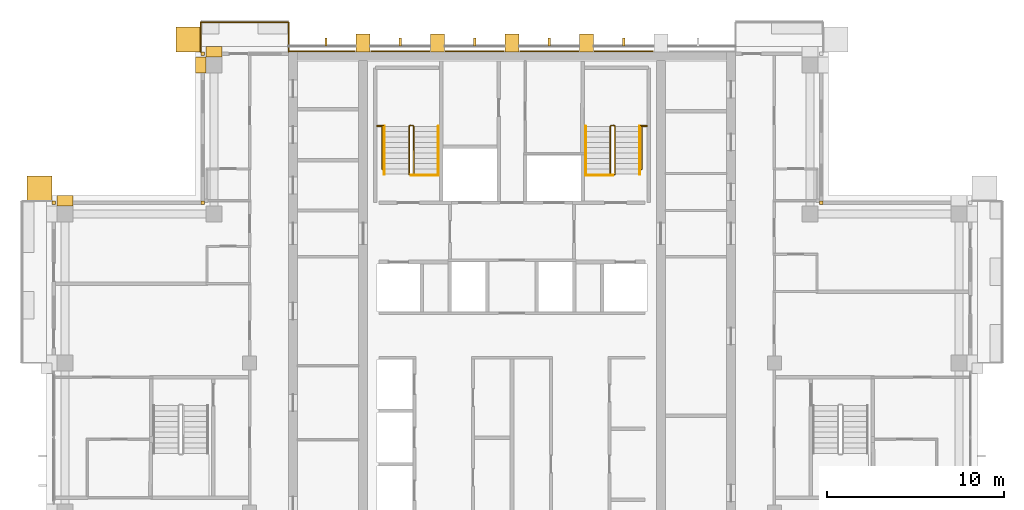
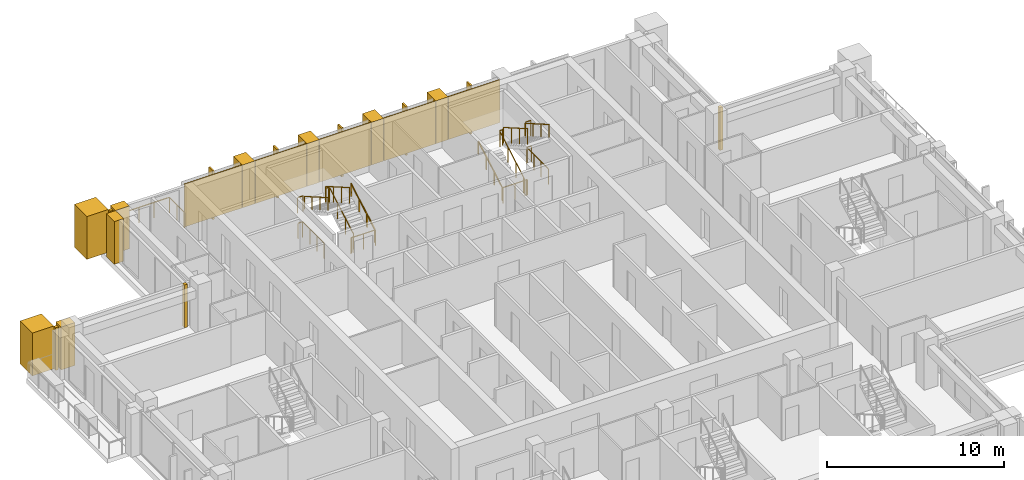
# One storey, part 17 of 18: 23 coverings, 13 railings.
"""IFC4 building model written with IfcOpenShell, lengths in metres."""

from ifc_helpers import new_model, si_unit, direction, frame, origin, origin_2d, place, context, subcontext, project, spatial, polyline, rectangle, outline, extrude, material, layer, layer_set, type_object, element, save


model = new_model("IFC4")

# Units and contexts
model_context = context("Model", 3, precision=1e-05, world=origin(), true_north=direction((0.0, 1.0)))
body_context = subcontext(model_context, "Body", "Model", "MODEL_VIEW")
ifc_project = project(units=[si_unit("LENGTHUNIT", "METRE"), si_unit("AREAUNIT", "SQUARE_METRE"), si_unit("VOLUMEUNIT", "CUBIC_METRE"), si_unit("PLANEANGLEUNIT", "RADIAN"), si_unit("MASSUNIT", "GRAM", prefix="KILO")], contexts=[model_context])

# Site, building, storey
site_placement = place(None, origin())
site = spatial("IfcSite", under=ifc_project, at=site_placement, CompositionType="ELEMENT")
building_placement = place(site_placement, origin())
building = spatial("IfcBuilding", under=site, at=building_placement, Name="Vermilion Ogive Tower", CompositionType="ELEMENT")
storey_placement = place(building_placement, frame((0.0, 0.0, 261.39990234375)))
storey = spatial("IfcBuildingStorey", under=building, at=storey_placement, Name="L69", CompositionType="ELEMENT", Elevation=261.39990234375)

# Railing
ifc_material_1 = material(Name="Stainless steel and glass", Category="steel")
railing_type_1 = type_object("IfcRailingType", Name="Balcony guard", PredefinedType="GUARDRAIL", material=ifc_material_1)
railing_1_placement = place(storey_placement, frame((-12.60009765625, 21.75, -0.039794921875)))
element("IfcRailing", 1, at=railing_1_placement, inside=storey, type_object=railing_type_1, Name="Guard N201", PredefinedType="GUARDRAIL", context=body_context, shape_type="SweptSolid", body=[
    extrude(rectangle(XDim=0.048095703125, YDim=0.048095703125, at=origin_2d()), frame((0.0, 0.0, 1.076171875), z_axis=(0.0, 1.0, 0.0), x_axis=(-1.0, 0.0, 0.0)), (0.0, 0.0, 1.0), 1.677978515625),
    extrude(rectangle(XDim=0.048095703125, YDim=0.048095703125, at=origin_2d()), frame((0.0, 1.677978515625, 1.076171875), z_axis=(-1.0, 0.0, 0.0), x_axis=(0.0, -1.0, 0.0)), (0.0, 0.0, 1.0), 4.949951171875),
    extrude(rectangle(XDim=0.048095703125, YDim=0.048095703125, at=origin_2d()), frame((-4.949951171875, 1.677978515625, 1.076171875), z_axis=(0.0, -1.0, 0.0), x_axis=(1.0, 0.0, 0.0)), (0.0, 0.0, 1.0), 1.677978515625),
    extrude(rectangle(XDim=0.0419921875, YDim=0.0419921875, at=origin_2d()), origin(), (0.0, 0.0, 1.0), 1.052001953125),
    extrude(rectangle(XDim=0.0419921875, YDim=0.0419921875, at=origin_2d()), frame((0.0, 0.8388671875, 0.0)), (0.0, 0.0, 1.0), 1.052001953125),
    extrude(rectangle(XDim=0.0419921875, YDim=0.0419921875, at=origin_2d()), frame((0.0, 1.677978515625, 0.0)), (0.0, 0.0, 1.0), 1.052001953125),
    extrude(rectangle(XDim=0.0419921875, YDim=0.0419921875, at=origin_2d()), frame((-0.989990234375, 1.677978515625, 0.0)), (0.0, 0.0, 1.0), 1.052001953125),
    extrude(rectangle(XDim=0.0419921875, YDim=0.0419921875, at=origin_2d()), frame((-1.97998046875, 1.677978515625, 0.0)), (0.0, 0.0, 1.0), 1.052001953125),
    extrude(rectangle(XDim=0.0419921875, YDim=0.0419921875, at=origin_2d()), frame((-2.969970703125, 1.677978515625, 0.0)), (0.0, 0.0, 1.0), 1.052001953125),
    extrude(rectangle(XDim=0.0419921875, YDim=0.0419921875, at=origin_2d()), frame((-3.9599609375, 1.677978515625, 0.0)), (0.0, 0.0, 1.0), 1.052001953125),
    extrude(rectangle(XDim=0.0419921875, YDim=0.0419921875, at=origin_2d()), frame((-4.949951171875, 1.677978515625, 0.0)), (0.0, 0.0, 1.0), 1.052001953125),
    extrude(rectangle(XDim=0.0419921875, YDim=0.0419921875, at=origin_2d()), frame((-4.949951171875, 0.8388671875, 0.0)), (0.0, 0.0, 1.0), 1.052001953125),
    extrude(rectangle(XDim=0.0419921875, YDim=0.0419921875, at=origin_2d()), frame((-4.949951171875, 0.0, 0.0)), (0.0, 0.0, 1.0), 1.052001953125),
])

# Coverings
ifc_material_2 = material(Name="Glazed ceramic screen")
ifc_layer = layer(ifc_material_2, 0.14990234375)
ifc_layer_set = layer_set([ifc_layer], Name="Ceramic solar screen fin")
covering_type_1 = type_object("IfcCoveringType", Name="Ceramic solar screen fin", PredefinedType="CLADDING", material=ifc_layer_set)
covering_1_placement = place(storey_placement, frame((0.0, 0.0, -0.39990234375)))
element("IfcCovering", 2, at=covering_1_placement, inside=storey, type_object=covering_type_1, Name="Solar screen blade N1", PredefinedType="CLADDING", context=body_context, shape_type="SweptSolid", body=[
    extrude(outline(polyline([(-10.56005859375, 22.08203125), (-10.43994140625, 22.08203125), (-10.43994140625, 22.531982421875), (-10.56005859375, 22.531982421875), (-10.56005859375, 22.08203125)])), origin(), (0.0, 0.0, 1.0), 3.35009765625),
])
covering_2_placement = place(storey_placement, frame((0.0, 0.0, -0.39990234375)))
element("IfcCovering", 3, at=covering_2_placement, inside=storey, type_object=covering_type_1, Name="Solar screen blade N2", PredefinedType="CLADDING", context=body_context, shape_type="SweptSolid", body=[
    extrude(outline(polyline([(-6.360107421875, 22.08203125), (-6.239990234375, 22.08203125), (-6.239990234375, 22.531982421875), (-6.360107421875, 22.531982421875), (-6.360107421875, 22.08203125)])), origin(), (0.0, 0.0, 1.0), 3.35009765625),
])
covering_3_placement = place(storey_placement, frame((0.0, 0.0, -0.39990234375)))
element("IfcCovering", 4, at=covering_3_placement, inside=storey, type_object=covering_type_1, Name="Solar screen blade N3", PredefinedType="CLADDING", context=body_context, shape_type="SweptSolid", body=[
    extrude(outline(polyline([(-2.159912109375, 22.08203125), (-2.0400390625, 22.08203125), (-2.0400390625, 22.531982421875), (-2.159912109375, 22.531982421875), (-2.159912109375, 22.08203125)])), origin(), (0.0, 0.0, 1.0), 3.35009765625),
])
covering_4_placement = place(storey_placement, frame((0.0, 0.0, -0.39990234375)))
element("IfcCovering", 5, at=covering_4_placement, inside=storey, type_object=covering_type_1, Name="Solar screen blade N4", PredefinedType="CLADDING", context=body_context, shape_type="SweptSolid", body=[
    extrude(outline(polyline([(2.0400390625, 22.08203125), (2.159912109375, 22.08203125), (2.159912109375, 22.531982421875), (2.0400390625, 22.531982421875), (2.0400390625, 22.08203125)])), origin(), (0.0, 0.0, 1.0), 3.35009765625),
])
covering_5_placement = place(storey_placement, frame((0.0, 0.0, -0.39990234375)))
element("IfcCovering", 6, at=covering_5_placement, inside=storey, type_object=covering_type_1, Name="Solar screen blade N5", PredefinedType="CLADDING", context=body_context, shape_type="SweptSolid", body=[
    extrude(outline(polyline([(6.239990234375, 22.08203125), (6.360107421875, 22.08203125), (6.360107421875, 22.531982421875), (6.239990234375, 22.531982421875), (6.239990234375, 22.08203125)])), origin(), (0.0, 0.0, 1.0), 3.35009765625),
])

# Railings
ifc_material_3 = material(Name="Steel S355 painted", Category="steel")
railing_type_2 = type_object("IfcRailingType", Name="Stair guard 1100", PredefinedType="GUARDRAIL", material=ifc_material_3)
railing_2_placement = place(storey_placement, frame((-5.75, 14.800048828125, 0.0)))
element("IfcRailing", 7, at=railing_2_placement, inside=storey, type_object=railing_type_2, Name="L69 ST1 stair guard 4", PredefinedType="GUARDRAIL", context=body_context, shape_type="SweptSolid", body=[
    extrude(rectangle(XDim=0.048095703125, YDim=0.048095703125, at=origin_2d()), frame((0.0, 0.0, 1.076171875), z_axis=(1.0, 0.0, 0.0), x_axis=(0.0, 1.0, 0.0)), (0.0, 0.0, 1.0), 0.14990234375),
    extrude(rectangle(XDim=0.048095703125, YDim=0.048095703125, at=origin_2d()), frame((0.14990234375, 0.0, 1.076171875), z_axis=(0.268277960024, 0.268277960024, 0.925231793839), x_axis=(-0.707106781187, 0.707106781187, 0.0)), (0.0, 0.0, 1.0), 0.1865234375),
    extrude(rectangle(XDim=0.048095703125, YDim=0.048095703125, at=origin_2d()), frame((0.199951171875, 0.050048828125, 1.24853515625), z_axis=(0.0, 0.866903762492, 0.498475542607), x_axis=(-1.0, 0.0, 0.0)), (0.0, 0.0, 1.0), 3.114501953125),
    extrude(rectangle(XDim=0.048095703125, YDim=0.048095703125, at=origin_2d()), frame((0.199951171875, 2.75, 2.80126953125), z_axis=(-0.707106781187, 0.707106781187, 0.0), x_axis=(-0.707106781187, -0.707106781187, 0.0)), (0.0, 0.0, 1.0), 0.07080078125),
    extrude(rectangle(XDim=0.048095703125, YDim=0.048095703125, at=origin_2d()), frame((0.14990234375, 2.800048828125, 2.80126953125), z_axis=(-1.0, 0.0, 0.0), x_axis=(0.0, -1.0, 0.0)), (0.0, 0.0, 1.0), 0.14990234375),
    extrude(rectangle(XDim=0.048095703125, YDim=0.048095703125, at=origin_2d()), frame((0.0, 2.800048828125, 2.80126953125), z_axis=(-0.268277960024, -0.268277960024, 0.925231793839), x_axis=(0.707106781187, -0.707106781187, 0.0)), (0.0, 0.0, 1.0), 0.1865234375),
    extrude(rectangle(XDim=0.048095703125, YDim=0.048095703125, at=origin_2d()), frame((-0.050048828125, 2.75, 2.9736328125), z_axis=(0.0, -0.866903762492, 0.498475542607), x_axis=(1.0, 0.0, 0.0)), (0.0, 0.0, 1.0), 3.114501953125),
    extrude(rectangle(XDim=0.0419921875, YDim=0.0419921875, at=origin_2d()), origin(), (0.0, 0.0, 1.0), 1.052001953125),
    extrude(rectangle(XDim=0.0419921875, YDim=0.0419921875, at=origin_2d()), frame((0.14990234375, 0.0, 0.0)), (0.0, 0.0, 1.0), 1.052001953125),
    extrude(rectangle(XDim=0.0419921875, YDim=0.0419921875, at=origin_2d()), frame((0.199951171875, 0.050048828125, 0.172607421875)), (0.0, 0.0, 1.0), 1.052001953125),
    extrude(rectangle(XDim=0.0419921875, YDim=0.0419921875, at=origin_2d()), frame((0.199951171875, 0.949951171875, 0.690185546875)), (0.0, 0.0, 1.0), 1.052001953125),
    extrude(rectangle(XDim=0.0419921875, YDim=0.0419921875, at=origin_2d()), frame((0.199951171875, 1.85009765625, 1.20751953125)), (0.0, 0.0, 1.0), 1.052001953125),
    extrude(rectangle(XDim=0.0419921875, YDim=0.0419921875, at=origin_2d()), frame((0.199951171875, 2.75, 1.72509765625)), (0.0, 0.0, 1.0), 1.052001953125),
    extrude(rectangle(XDim=0.0419921875, YDim=0.0419921875, at=origin_2d()), frame((0.14990234375, 2.800048828125, 1.72509765625)), (0.0, 0.0, 1.0), 1.052001953125),
    extrude(rectangle(XDim=0.0419921875, YDim=0.0419921875, at=origin_2d()), frame((0.0, 2.800048828125, 1.72509765625)), (0.0, 0.0, 1.0), 1.052001953125),
    extrude(rectangle(XDim=0.0419921875, YDim=0.0419921875, at=origin_2d()), frame((-0.050048828125, 2.75, 1.897705078125)), (0.0, 0.0, 1.0), 1.052001953125),
    extrude(rectangle(XDim=0.0419921875, YDim=0.0419921875, at=origin_2d()), frame((-0.050048828125, 1.85009765625, 2.415283203125)), (0.0, 0.0, 1.0), 1.052001953125),
    extrude(rectangle(XDim=0.0419921875, YDim=0.0419921875, at=origin_2d()), frame((-0.050048828125, 0.949951171875, 2.9326171875)), (0.0, 0.0, 1.0), 1.052001953125),
    extrude(rectangle(XDim=0.0419921875, YDim=0.0419921875, at=origin_2d()), frame((-0.050048828125, 0.050048828125, 3.4501953125)), (0.0, 0.0, 1.0), 1.052001953125),
])
railing_3_placement = place(storey_placement, frame((5.75, 14.800048828125, 0.0)))
element("IfcRailing", 8, at=railing_3_placement, inside=storey, type_object=railing_type_2, Name="L69 ST2 stair guard 4", PredefinedType="GUARDRAIL", context=body_context, shape_type="SweptSolid", body=[
    extrude(rectangle(XDim=0.048095703125, YDim=0.048095703125, at=origin_2d()), frame((0.0, 0.0, 1.076171875), z_axis=(-1.0, 0.0, 0.0), x_axis=(0.0, -1.0, 0.0)), (0.0, 0.0, 1.0), 0.14990234375),
    extrude(rectangle(XDim=0.048095703125, YDim=0.048095703125, at=origin_2d()), frame((-0.14990234375, 0.0, 1.076171875), z_axis=(-0.268277960024, 0.268277960024, 0.925231793839), x_axis=(-0.707106781187, -0.707106781187, 0.0)), (0.0, 0.0, 1.0), 0.1865234375),
    extrude(rectangle(XDim=0.048095703125, YDim=0.048095703125, at=origin_2d()), frame((-0.199951171875, 0.050048828125, 1.24853515625), z_axis=(0.0, 0.866903762492, 0.498475542607), x_axis=(-1.0, 0.0, 0.0)), (0.0, 0.0, 1.0), 3.114501953125),
    extrude(rectangle(XDim=0.048095703125, YDim=0.048095703125, at=origin_2d()), frame((-0.199951171875, 2.75, 2.80126953125), z_axis=(0.707106781187, 0.707106781187, 0.0), x_axis=(-0.707106781187, 0.707106781187, 0.0)), (0.0, 0.0, 1.0), 0.07080078125),
    extrude(rectangle(XDim=0.048095703125, YDim=0.048095703125, at=origin_2d()), frame((-0.14990234375, 2.800048828125, 2.80126953125), z_axis=(1.0, 0.0, 0.0), x_axis=(0.0, 1.0, 0.0)), (0.0, 0.0, 1.0), 0.14990234375),
    extrude(rectangle(XDim=0.048095703125, YDim=0.048095703125, at=origin_2d()), frame((0.0, 2.800048828125, 2.80126953125), z_axis=(0.268277960024, -0.268277960024, 0.925231793839), x_axis=(0.707106781187, 0.707106781187, 0.0)), (0.0, 0.0, 1.0), 0.1865234375),
    extrude(rectangle(XDim=0.048095703125, YDim=0.048095703125, at=origin_2d()), frame((0.050048828125, 2.75, 2.9736328125), z_axis=(0.0, -0.866903762492, 0.498475542607), x_axis=(1.0, 0.0, 0.0)), (0.0, 0.0, 1.0), 3.114501953125),
    extrude(rectangle(XDim=0.0419921875, YDim=0.0419921875, at=origin_2d()), origin(), (0.0, 0.0, 1.0), 1.052001953125),
    extrude(rectangle(XDim=0.0419921875, YDim=0.0419921875, at=origin_2d()), frame((-0.14990234375, 0.0, 0.0)), (0.0, 0.0, 1.0), 1.052001953125),
    extrude(rectangle(XDim=0.0419921875, YDim=0.0419921875, at=origin_2d()), frame((-0.199951171875, 0.050048828125, 0.172607421875)), (0.0, 0.0, 1.0), 1.052001953125),
    extrude(rectangle(XDim=0.0419921875, YDim=0.0419921875, at=origin_2d()), frame((-0.199951171875, 0.949951171875, 0.690185546875)), (0.0, 0.0, 1.0), 1.052001953125),
    extrude(rectangle(XDim=0.0419921875, YDim=0.0419921875, at=origin_2d()), frame((-0.199951171875, 1.85009765625, 1.20751953125)), (0.0, 0.0, 1.0), 1.052001953125),
    extrude(rectangle(XDim=0.0419921875, YDim=0.0419921875, at=origin_2d()), frame((-0.199951171875, 2.75, 1.72509765625)), (0.0, 0.0, 1.0), 1.052001953125),
    extrude(rectangle(XDim=0.0419921875, YDim=0.0419921875, at=origin_2d()), frame((-0.14990234375, 2.800048828125, 1.72509765625)), (0.0, 0.0, 1.0), 1.052001953125),
    extrude(rectangle(XDim=0.0419921875, YDim=0.0419921875, at=origin_2d()), frame((0.0, 2.800048828125, 1.72509765625)), (0.0, 0.0, 1.0), 1.052001953125),
    extrude(rectangle(XDim=0.0419921875, YDim=0.0419921875, at=origin_2d()), frame((0.050048828125, 2.75, 1.897705078125)), (0.0, 0.0, 1.0), 1.052001953125),
    extrude(rectangle(XDim=0.0419921875, YDim=0.0419921875, at=origin_2d()), frame((0.050048828125, 1.85009765625, 2.415283203125)), (0.0, 0.0, 1.0), 1.052001953125),
    extrude(rectangle(XDim=0.0419921875, YDim=0.0419921875, at=origin_2d()), frame((0.050048828125, 0.949951171875, 2.9326171875)), (0.0, 0.0, 1.0), 1.052001953125),
    extrude(rectangle(XDim=0.0419921875, YDim=0.0419921875, at=origin_2d()), frame((0.050048828125, 0.050048828125, 3.4501953125)), (0.0, 0.0, 1.0), 1.052001953125),
])
for number, where, name in (
    (9, (-7.60009765625, 17.60009765625, 1.72509765625), "L69 landing guard"),
    (10, (7.25, 17.60009765625, 1.72509765625), "L69 landing guard"),
):
    element("IfcRailing", number, at=place(storey_placement, frame(where)), inside=storey, type_object=railing_type_2, Name=name, PredefinedType="GUARDRAIL", context=body_context, shape_type="SweptSolid", body=[
        extrude(rectangle(XDim=0.048095703125, YDim=0.048095703125, at=origin_2d()), frame((0.0, 0.0, 1.076171875), z_axis=(1.0, 0.0, 0.0), x_axis=(0.0, 1.0, 0.0)), (0.0, 0.0, 1.0), 0.35009765625),
        extrude(rectangle(XDim=0.0419921875, YDim=0.0419921875, at=origin_2d()), origin(), (0.0, 0.0, 1.0), 1.052001953125),
        extrude(rectangle(XDim=0.0419921875, YDim=0.0419921875, at=origin_2d()), frame((0.35009765625, 0.0, 0.0)), (0.0, 0.0, 1.0), 1.052001953125),
    ])
railing_4_placement = place(storey_placement, frame((-4.159912109375, 14.7900390625, 0.0)))
element("IfcRailing", 11, at=railing_4_placement, inside=storey, type_object=railing_type_2, Name="L69 stair opening guard", PredefinedType="GUARDRAIL", context=body_context, shape_type="SweptSolid", body=[
    extrude(rectangle(XDim=0.048095703125, YDim=0.048095703125, at=origin_2d()), frame((0.0, 0.0, 1.076171875), z_axis=(-1.0, 0.0, 0.0), x_axis=(0.0, -1.0, 0.0)), (0.0, 0.0, 1.0), 1.5400390625),
    extrude(rectangle(XDim=0.0419921875, YDim=0.0419921875, at=origin_2d()), origin(), (0.0, 0.0, 1.0), 1.052001953125),
    extrude(rectangle(XDim=0.0419921875, YDim=0.0419921875, at=origin_2d()), frame((-0.77001953125, 0.0, 0.0)), (0.0, 0.0, 1.0), 1.052001953125),
    extrude(rectangle(XDim=0.0419921875, YDim=0.0419921875, at=origin_2d()), frame((-1.5400390625, 0.0, 0.0)), (0.0, 0.0, 1.0), 1.052001953125),
])
railing_5_placement = place(storey_placement, frame((-7.3095703125, 15.11865234375, 0.0)))
element("IfcRailing", 12, at=railing_5_placement, inside=storey, type_object=railing_type_2, Name="L69 stair opening guard", PredefinedType="GUARDRAIL", context=body_context, shape_type="SweptSolid", body=[
    extrude(rectangle(XDim=0.048095703125, YDim=0.048095703125, at=origin_2d()), frame((0.0, 0.0, 1.076171875), z_axis=(0.0, 1.0, 0.0), x_axis=(-1.0, 0.0, 0.0)), (0.0, 0.0, 1.0), 2.42431640625),
    extrude(rectangle(XDim=0.048095703125, YDim=0.048095703125, at=origin_2d()), frame((0.0, 2.42431640625, 1.076171875), z_axis=(-1.0, 0.0, 0.0), x_axis=(0.0, -1.0, 0.0)), (0.0, 0.0, 1.0), 0.2900390625),
    extrude(rectangle(XDim=0.0419921875, YDim=0.0419921875, at=origin_2d()), origin(), (0.0, 0.0, 1.0), 1.052001953125),
    extrude(rectangle(XDim=0.0419921875, YDim=0.0419921875, at=origin_2d()), frame((0.0, 0.80810546875, 0.0)), (0.0, 0.0, 1.0), 1.052001953125),
    extrude(rectangle(XDim=0.0419921875, YDim=0.0419921875, at=origin_2d()), frame((0.0, 1.6162109375, 0.0)), (0.0, 0.0, 1.0), 1.052001953125),
    extrude(rectangle(XDim=0.0419921875, YDim=0.0419921875, at=origin_2d()), frame((0.0, 2.42431640625, 0.0)), (0.0, 0.0, 1.0), 1.052001953125),
    extrude(rectangle(XDim=0.0419921875, YDim=0.0419921875, at=origin_2d()), frame((-0.2900390625, 2.42431640625, 0.0)), (0.0, 0.0, 1.0), 1.052001953125),
])
railing_6_placement = place(storey_placement, frame((7.599609375, 17.54296875, 0.0)))
element("IfcRailing", 13, at=railing_6_placement, inside=storey, type_object=railing_type_2, Name="L69 stair opening guard", PredefinedType="GUARDRAIL", context=body_context, shape_type="SweptSolid", body=[
    extrude(rectangle(XDim=0.048095703125, YDim=0.048095703125, at=origin_2d()), frame((0.0, 0.0, 1.076171875), z_axis=(-1.0, 0.0, 0.0), x_axis=(0.0, -1.0, 0.0)), (0.0, 0.0, 1.0), 0.2900390625),
    extrude(rectangle(XDim=0.048095703125, YDim=0.048095703125, at=origin_2d()), frame((-0.2900390625, 0.0, 1.076171875), z_axis=(0.0, -1.0, 0.0), x_axis=(1.0, 0.0, 0.0)), (0.0, 0.0, 1.0), 2.42431640625),
    extrude(rectangle(XDim=0.0419921875, YDim=0.0419921875, at=origin_2d()), origin(), (0.0, 0.0, 1.0), 1.052001953125),
    extrude(rectangle(XDim=0.0419921875, YDim=0.0419921875, at=origin_2d()), frame((-0.2900390625, 0.0, 0.0)), (0.0, 0.0, 1.0), 1.052001953125),
    extrude(rectangle(XDim=0.0419921875, YDim=0.0419921875, at=origin_2d()), frame((-0.2900390625, -0.80810546875, 0.0)), (0.0, 0.0, 1.0), 1.052001953125),
    extrude(rectangle(XDim=0.0419921875, YDim=0.0419921875, at=origin_2d()), frame((-0.2900390625, -1.6162109375, 0.0)), (0.0, 0.0, 1.0), 1.052001953125),
    extrude(rectangle(XDim=0.0419921875, YDim=0.0419921875, at=origin_2d()), frame((-0.2900390625, -2.42431640625, 0.0)), (0.0, 0.0, 1.0), 1.052001953125),
])
railing_7_placement = place(storey_placement, frame((5.699951171875, 14.7900390625, 0.0)))
element("IfcRailing", 14, at=railing_7_placement, inside=storey, type_object=railing_type_2, Name="L69 stair opening guard", PredefinedType="GUARDRAIL", context=body_context, shape_type="SweptSolid", body=[
    extrude(rectangle(XDim=0.048095703125, YDim=0.048095703125, at=origin_2d()), frame((0.0, 0.0, 1.076171875), z_axis=(-1.0, 0.0, 0.0), x_axis=(0.0, -1.0, 0.0)), (0.0, 0.0, 1.0), 1.5400390625),
    extrude(rectangle(XDim=0.0419921875, YDim=0.0419921875, at=origin_2d()), origin(), (0.0, 0.0, 1.0), 1.052001953125),
    extrude(rectangle(XDim=0.0419921875, YDim=0.0419921875, at=origin_2d()), frame((-0.77001953125, 0.0, 0.0)), (0.0, 0.0, 1.0), 1.052001953125),
    extrude(rectangle(XDim=0.0419921875, YDim=0.0419921875, at=origin_2d()), frame((-1.5400390625, 0.0, 0.0)), (0.0, 0.0, 1.0), 1.052001953125),
])
ifc_material_4 = material(Name="Stainless steel", Category="steel")
railing_type_3 = type_object("IfcRailingType", Name="Stair handrail 900", PredefinedType="HANDRAIL", material=ifc_material_4)
railing_8_placement = place(storey_placement, frame((-4.14990234375, 14.85009765625, 0.172607421875)))
element("IfcRailing", 15, at=railing_8_placement, inside=storey, type_object=railing_type_3, Name="L69 ST1 stair handrail 1", PredefinedType="HANDRAIL", context=body_context, shape_type="SweptSolid", body=[
    extrude(rectangle(XDim=0.048095703125, YDim=0.048095703125, at=origin_2d()), frame((0.0, 0.0, 0.8759765625), z_axis=(0.0, 0.866903762492, 0.498475542607), x_axis=(-1.0, 0.0, 0.0)), (0.0, 0.0, 1.0), 3.114501953125),
    extrude(rectangle(XDim=0.0419921875, YDim=0.0419921875, at=origin_2d()), origin(), (0.0, 0.0, 1.0), 0.851806640625),
    extrude(rectangle(XDim=0.0419921875, YDim=0.0419921875, at=origin_2d()), frame((0.0, 0.89990234375, 0.517578125)), (0.0, 0.0, 1.0), 0.851806640625),
    extrude(rectangle(XDim=0.0419921875, YDim=0.0419921875, at=origin_2d()), frame((0.0, 1.800048828125, 1.034912109375)), (0.0, 0.0, 1.0), 0.851806640625),
    extrude(rectangle(XDim=0.0419921875, YDim=0.0419921875, at=origin_2d()), frame((0.0, 2.699951171875, 1.552490234375)), (0.0, 0.0, 1.0), 0.851806640625),
])
railing_9_placement = place(storey_placement, frame((-7.199951171875, 17.550048828125, 1.897705078125)))
element("IfcRailing", 16, at=railing_9_placement, inside=storey, type_object=railing_type_3, Name="L69 ST1 stair handrail 2", PredefinedType="HANDRAIL", context=body_context, shape_type="SweptSolid", body=[
    extrude(rectangle(XDim=0.048095703125, YDim=0.048095703125, at=origin_2d()), frame((0.0, 0.0, 0.8759765625), z_axis=(0.0, -0.866903762492, 0.498475542607), x_axis=(1.0, 0.0, 0.0)), (0.0, 0.0, 1.0), 3.114501953125),
    extrude(rectangle(XDim=0.0419921875, YDim=0.0419921875, at=origin_2d()), origin(), (0.0, 0.0, 1.0), 0.851806640625),
    extrude(rectangle(XDim=0.0419921875, YDim=0.0419921875, at=origin_2d()), frame((0.0, -0.89990234375, 0.517578125)), (0.0, 0.0, 1.0), 0.851806640625),
    extrude(rectangle(XDim=0.0419921875, YDim=0.0419921875, at=origin_2d()), frame((0.0, -1.800048828125, 1.034912109375)), (0.0, 0.0, 1.0), 0.851806640625),
    extrude(rectangle(XDim=0.0419921875, YDim=0.0419921875, at=origin_2d()), frame((0.0, -2.699951171875, 1.552490234375)), (0.0, 0.0, 1.0), 0.851806640625),
])
railing_10_placement = place(storey_placement, frame((4.14990234375, 14.85009765625, 0.172607421875)))
element("IfcRailing", 17, at=railing_10_placement, inside=storey, type_object=railing_type_3, Name="L69 ST2 stair handrail 1", PredefinedType="HANDRAIL", context=body_context, shape_type="SweptSolid", body=[
    extrude(rectangle(XDim=0.048095703125, YDim=0.048095703125, at=origin_2d()), frame((0.0, 0.0, 0.8759765625), z_axis=(0.0, 0.866903762492, 0.498475542607), x_axis=(-1.0, 0.0, 0.0)), (0.0, 0.0, 1.0), 3.114501953125),
    extrude(rectangle(XDim=0.0419921875, YDim=0.0419921875, at=origin_2d()), origin(), (0.0, 0.0, 1.0), 0.851806640625),
    extrude(rectangle(XDim=0.0419921875, YDim=0.0419921875, at=origin_2d()), frame((0.0, 0.89990234375, 0.517578125)), (0.0, 0.0, 1.0), 0.851806640625),
    extrude(rectangle(XDim=0.0419921875, YDim=0.0419921875, at=origin_2d()), frame((0.0, 1.800048828125, 1.034912109375)), (0.0, 0.0, 1.0), 0.851806640625),
    extrude(rectangle(XDim=0.0419921875, YDim=0.0419921875, at=origin_2d()), frame((0.0, 2.699951171875, 1.552490234375)), (0.0, 0.0, 1.0), 0.851806640625),
])
railing_11_placement = place(storey_placement, frame((7.199951171875, 17.550048828125, 1.897705078125)))
element("IfcRailing", 18, at=railing_11_placement, inside=storey, type_object=railing_type_3, Name="L69 ST2 stair handrail 2", PredefinedType="HANDRAIL", context=body_context, shape_type="SweptSolid", body=[
    extrude(rectangle(XDim=0.048095703125, YDim=0.048095703125, at=origin_2d()), frame((0.0, 0.0, 0.8759765625), z_axis=(0.0, -0.866903762492, 0.498475542607), x_axis=(1.0, 0.0, 0.0)), (0.0, 0.0, 1.0), 3.114501953125),
    extrude(rectangle(XDim=0.0419921875, YDim=0.0419921875, at=origin_2d()), origin(), (0.0, 0.0, 1.0), 0.851806640625),
    extrude(rectangle(XDim=0.0419921875, YDim=0.0419921875, at=origin_2d()), frame((0.0, -0.89990234375, 0.517578125)), (0.0, 0.0, 1.0), 0.851806640625),
    extrude(rectangle(XDim=0.0419921875, YDim=0.0419921875, at=origin_2d()), frame((0.0, -1.800048828125, 1.034912109375)), (0.0, 0.0, 1.0), 0.851806640625),
    extrude(rectangle(XDim=0.0419921875, YDim=0.0419921875, at=origin_2d()), frame((0.0, -2.699951171875, 1.552490234375)), (0.0, 0.0, 1.0), 0.851806640625),
])

# Coverings
ifc_material_5 = material(Name="Stone cladding", Category="masonry")
covering_type_2 = type_object("IfcCoveringType", Name="Stone buttress pier", PredefinedType="CLADDING", material=ifc_material_5)
covering_6_placement = place(storey_placement, origin())
element("IfcCovering", 19, at=covering_6_placement, inside=storey, type_object=covering_type_2, Name="Stone buttress pier N1", PredefinedType="CLADDING", context=body_context, shape_type="SweptSolid", body=[
    extrude(outline(polyline([(-8.800048828125, 21.75), (-8.0, 21.75), (-8.0, 22.75), (-8.800048828125, 22.75), (-8.800048828125, 21.75)])), origin(), (0.0, 0.0, 1.0), 2.9501953125),
])
covering_7_placement = place(storey_placement, origin())
element("IfcCovering", 20, at=covering_7_placement, inside=storey, type_object=covering_type_2, Name="Stone buttress pier N2", PredefinedType="CLADDING", context=body_context, shape_type="SweptSolid", body=[
    extrude(outline(polyline([(-4.60009765625, 21.75), (-3.800048828125, 21.75), (-3.800048828125, 22.75), (-4.60009765625, 22.75), (-4.60009765625, 21.75)])), origin(), (0.0, 0.0, 1.0), 2.9501953125),
])
covering_8_placement = place(storey_placement, origin())
element("IfcCovering", 21, at=covering_8_placement, inside=storey, type_object=covering_type_2, Name="Stone buttress pier N3", PredefinedType="CLADDING", context=body_context, shape_type="SweptSolid", body=[
    extrude(outline(polyline([(-0.39990234375, 21.75), (0.39990234375, 21.75), (0.39990234375, 22.75), (-0.39990234375, 22.75), (-0.39990234375, 21.75)])), origin(), (0.0, 0.0, 1.0), 2.9501953125),
])
covering_9_placement = place(storey_placement, origin())
element("IfcCovering", 22, at=covering_9_placement, inside=storey, type_object=covering_type_2, Name="Stone buttress pier N4", PredefinedType="CLADDING", context=body_context, shape_type="SweptSolid", body=[
    extrude(outline(polyline([(3.800048828125, 21.75), (4.60009765625, 21.75), (4.60009765625, 22.75), (3.800048828125, 22.75), (3.800048828125, 21.75)])), origin(), (0.0, 0.0, 1.0), 2.9501953125),
])
ifc_material_6 = material(Name="Stone cladding", Category="masonry")
covering_type_3 = type_object("IfcCoveringType", Name="Stone cladding panel", PredefinedType="CLADDING", material=ifc_material_6)
covering_10_placement = place(storey_placement, origin())
element("IfcCovering", 23, at=covering_10_placement, inside=storey, type_object=covering_type_3, Name="Stone cladding panel N1", PredefinedType="CLADDING", context=body_context, shape_type="SweptSolid", body=[
    extrude(outline(polyline([(-12.590087890625, 21.75), (-8.830078125, 21.75), (-8.830078125, 21.81005859375), (-12.590087890625, 21.81005859375), (-12.590087890625, 21.75)])), origin(), (0.0, 0.0, 1.0), 2.9501953125),
])
covering_11_placement = place(storey_placement, origin())
element("IfcCovering", 24, at=covering_11_placement, inside=storey, type_object=covering_type_3, Name="Stone cladding panel N2", PredefinedType="CLADDING", context=body_context, shape_type="SweptSolid", body=[
    extrude(outline(polyline([(-7.969970703125, 21.75), (-4.6298828125, 21.75), (-4.6298828125, 21.81005859375), (-7.969970703125, 21.81005859375), (-7.969970703125, 21.75)])), origin(), (0.0, 0.0, 1.0), 2.9501953125),
])
covering_12_placement = place(storey_placement, origin())
element("IfcCovering", 25, at=covering_12_placement, inside=storey, type_object=covering_type_3, Name="Stone cladding panel N3", PredefinedType="CLADDING", context=body_context, shape_type="SweptSolid", body=[
    extrude(outline(polyline([(-3.77001953125, 21.75), (-0.429931640625, 21.75), (-0.429931640625, 21.81005859375), (-3.77001953125, 21.81005859375), (-3.77001953125, 21.75)])), origin(), (0.0, 0.0, 1.0), 2.9501953125),
])
covering_13_placement = place(storey_placement, origin())
element("IfcCovering", 26, at=covering_13_placement, inside=storey, type_object=covering_type_3, Name="Stone cladding panel N4", PredefinedType="CLADDING", context=body_context, shape_type="SweptSolid", body=[
    extrude(outline(polyline([(0.429931640625, 21.75), (3.77001953125, 21.75), (3.77001953125, 21.81005859375), (0.429931640625, 21.81005859375), (0.429931640625, 21.75)])), origin(), (0.0, 0.0, 1.0), 2.9501953125),
])
covering_14_placement = place(storey_placement, origin())
element("IfcCovering", 27, at=covering_14_placement, inside=storey, type_object=covering_type_3, Name="Stone cladding panel N5", PredefinedType="CLADDING", context=body_context, shape_type="SweptSolid", body=[
    extrude(outline(polyline([(4.6298828125, 21.75), (7.969970703125, 21.75), (7.969970703125, 21.81005859375), (4.6298828125, 21.81005859375), (4.6298828125, 21.75)])), origin(), (0.0, 0.0, 1.0), 2.9501953125),
])
ifc_material_7 = material(Name="Stone cladding", Category="masonry")
covering_type_4 = type_object("IfcCoveringType", Name="Stone corner buttress", PredefinedType="CLADDING", material=ifc_material_7)
covering_15_placement = place(storey_placement, origin())
element("IfcCovering", 28, at=covering_15_placement, inside=storey, type_object=covering_type_4, Name="Stone corner buttress X51", PredefinedType="CLADDING", context=body_context, shape_type="SweptSolid", body=[
    extrude(outline(polyline([(-18.949951171875, 21.75), (-18.949951171875, 23.14990234375), (-17.550048828125, 23.14990234375), (-17.550048828125, 22.050048828125), (-17.550048828125, 21.75), (-18.949951171875, 21.75)])), origin(), (0.0, 0.0, 1.0), 2.9501953125),
])
covering_16_placement = place(storey_placement, origin())
element("IfcCovering", 29, at=covering_16_placement, inside=storey, type_object=covering_type_4, Name="Stone corner buttress W1", PredefinedType="CLADDING", context=body_context, shape_type="SweptSolid", body=[
    extrude(outline(polyline([(-25.949951171875, 14.75), (-25.949951171875, 13.35009765625), (-26.25, 13.35009765625), (-27.35009765625, 13.35009765625), (-27.35009765625, 14.75), (-25.949951171875, 14.75)])), origin(), (0.0, 0.0, 1.0), 2.9501953125),
])
ifc_material_8 = material(Name="Stone cladding", Category="masonry")
covering_type_5 = type_object("IfcCoveringType", Name="Stone pier", PredefinedType="CLADDING", material=ifc_material_8)
covering_17_placement = place(storey_placement, origin())
element("IfcCovering", 30, at=covering_17_placement, inside=storey, type_object=covering_type_5, Name="Stone pier P-0168+210N2", PredefinedType="CLADDING", context=body_context, shape_type="SweptSolid", body=[
    extrude(outline(polyline([(-17.25, 21.449951171875), (-17.25, 22.050048828125), (-16.35009765625, 22.050048828125), (-16.35009765625, 21.449951171875), (-17.25, 21.449951171875), (-17.25, 21.449951171875)])), origin(), (0.0, 0.0, 1.0), 2.9501953125),
])
covering_18_placement = place(storey_placement, origin())
element("IfcCovering", 31, at=covering_18_placement, inside=storey, type_object=covering_type_5, Name="Stone pier P-0168+210X5", PredefinedType="CLADDING", context=body_context, shape_type="SweptSolid", body=[
    extrude(outline(polyline([(-17.85009765625, 21.449951171875), (-17.25, 21.449951171875), (-17.25, 21.449951171875), (-17.25, 20.550048828125), (-17.85009765625, 20.550048828125), (-17.85009765625, 21.449951171875)])), origin(), (0.0, 0.0, 1.0), 2.9501953125),
])
covering_19_placement = place(storey_placement, origin())
element("IfcCovering", 32, at=covering_19_placement, inside=storey, type_object=covering_type_5, Name="Stone pier P-0252+126X6", PredefinedType="CLADDING", context=body_context, shape_type="SweptSolid", body=[
    extrude(outline(polyline([(-25.64990234375, 13.050048828125), (-25.64990234375, 13.64990234375), (-24.75, 13.64990234375), (-24.75, 13.050048828125), (-24.75, 13.050048828125), (-25.64990234375, 13.050048828125)])), origin(), (0.0, 0.0, 1.0), 2.9501953125),
])
covering_20_placement = place(storey_placement, origin())
element("IfcCovering", 33, at=covering_20_placement, inside=storey, type_object=covering_type_5, Name="Stone corner pier X3E1", PredefinedType="CLADDING", context=body_context, shape_type="SweptSolid", body=[
    extrude(outline(polyline([(17.35009765625, 13.14990234375), (17.35009765625, 13.35009765625), (17.550048828125, 13.35009765625), (17.550048828125, 13.14990234375), (17.35009765625, 13.14990234375)])), origin(), (0.0, 0.0, 1.0), 2.9501953125),
])
covering_21_placement = place(storey_placement, origin())
element("IfcCovering", 34, at=covering_21_placement, inside=storey, type_object=covering_type_5, Name="Stone corner pier N2E1", PredefinedType="CLADDING", context=body_context, shape_type="SweptSolid", body=[
    extrude(outline(polyline([(-17.35009765625, 21.550048828125), (-17.550048828125, 21.550048828125), (-17.550048828125, 21.75), (-17.35009765625, 21.75), (-17.35009765625, 21.550048828125)])), origin(), (0.0, 0.0, 1.0), 2.9501953125),
])
covering_22_placement = place(storey_placement, origin())
element("IfcCovering", 35, at=covering_22_placement, inside=storey, type_object=covering_type_5, Name="Stone corner pier X5E1", PredefinedType="CLADDING", context=body_context, shape_type="SweptSolid", body=[
    extrude(outline(polyline([(-17.35009765625, 13.14990234375), (-17.550048828125, 13.14990234375), (-17.550048828125, 13.35009765625), (-17.35009765625, 13.35009765625), (-17.35009765625, 13.14990234375)])), origin(), (0.0, 0.0, 1.0), 2.9501953125),
])
covering_23_placement = place(storey_placement, origin())
element("IfcCovering", 36, at=covering_23_placement, inside=storey, type_object=covering_type_5, Name="Stone corner pier X6E1", PredefinedType="CLADDING", context=body_context, shape_type="SweptSolid", body=[
    extrude(outline(polyline([(-25.75, 13.14990234375), (-25.949951171875, 13.14990234375), (-25.949951171875, 13.35009765625), (-25.75, 13.35009765625), (-25.75, 13.14990234375)])), origin(), (0.0, 0.0, 1.0), 2.9501953125),
])

save(model, "model.ifc")
